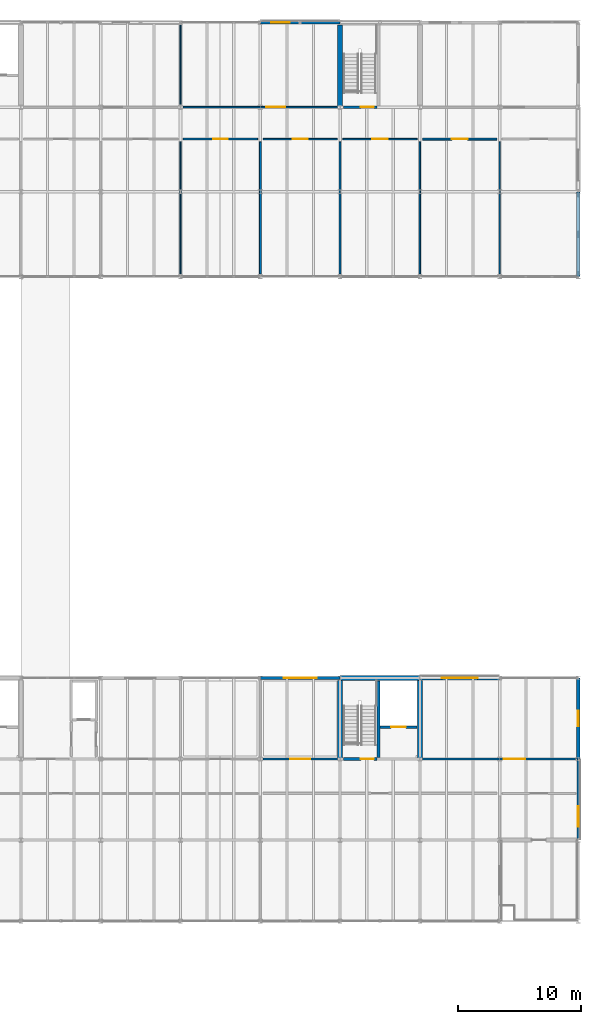
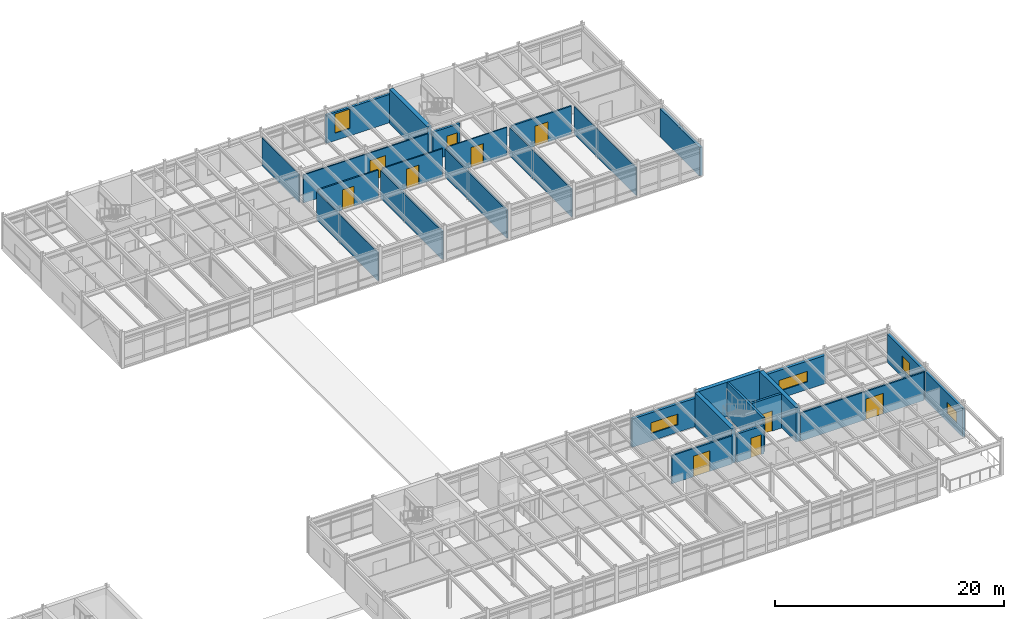
# One storey, part 42 of 49: 27 walls, 10 doors, 5 windows, 15 openings.
"""IFC4 building model written with IfcOpenShell, lengths in metres."""

from ifc_helpers import new_model, si_unit, direction, frame, frame_2d, origin, place, context, subcontext, project, spatial, rectangle, extrude, material, layer, layer_set, type_object, element, fill, save


model = new_model("IFC4")

# Units and contexts
model_context = context("Model", 3, precision=1e-05, world=origin(), true_north=direction((0.0, 1.0)))
body_context = subcontext(model_context, "Body", "Model", "MODEL_VIEW")
ifc_project = project(units=[si_unit("LENGTHUNIT", "METRE"), si_unit("AREAUNIT", "SQUARE_METRE"), si_unit("VOLUMEUNIT", "CUBIC_METRE"), si_unit("PLANEANGLEUNIT", "RADIAN"), si_unit("MASSUNIT", "GRAM", prefix="KILO")], contexts=[model_context])

# Site, building, storey
site_placement = place(None, origin())
site = spatial("IfcSite", under=ifc_project, at=site_placement, CompositionType="ELEMENT")
building_placement = place(site_placement, origin())
building = spatial("IfcBuilding", under=site, at=building_placement, Name="Trelmorton Wharf Fire Station", CompositionType="ELEMENT")
storey_placement = place(building_placement, frame((0.0, 0.0, 9.60009765625)))
storey = spatial("IfcBuildingStorey", under=building, at=storey_placement, Name="L02", CompositionType="ELEMENT", Elevation=9.60009765625)

# Wall, opening, window
ifc_material_1 = material(Name="Precast concrete 45 MPa", Category="concrete")
ifc_layer_1 = layer(ifc_material_1, 0.22998046875)
ifc_layer_set_1 = layer_set([ifc_layer_1], Name="Precast concrete 45 MPa")
wall_type_1 = type_object("IfcWallType", Name="EW_PREC_230", PredefinedType="SOLIDWALL", material=ifc_layer_set_1)
wall_1_placement = place(storey_placement, frame((162.39990234375, 20.9951171875, 0.0), z_axis=(0.0, 0.0, 1.0), x_axis=(0.0, -1.0, 0.0)))
wall_1 = element("IfcWall", 1, at=wall_1_placement, inside=storey, type_object=wall_type_1, Name="EW-V5-L02-0096", PredefinedType="SOLIDWALL", context=body_context, shape_type="SweptSolid", body=[
    extrude(rectangle(XDim=6.590087890625, YDim=0.22998046875, at=frame_2d((3.294921875, 0.0))), origin(), (0.0, 0.0, 1.0), 3.02001953125),
])
opening_1_placement = place(wall_1_placement, frame((3.827392578125, 0.0, 0.800048828125)))
opening_1 = element("IfcOpeningElement", 2, at=opening_1_placement, cuts=wall_1, Name="Opening W32", PredefinedType="OPENING", context=body_context, shape_type="SweptSolid", body=[
    extrude(rectangle(XDim=1.699951171875, YDim=1.25, at=frame_2d((0.85009765625, 0.625))), frame((0.0, 0.125, 0.0), z_axis=(0.0, -1.0, 0.0), x_axis=(1.0, 0.0, 0.0)), (0.0, 0.0, 1.0), 0.25),
])
ifc_material_2 = material(Name="Tempered low-E double glazing", Category="glass")
window_type_1 = type_object("IfcWindowType", Name="WIN_W32", PartitioningType="DOUBLE_PANEL_VERTICAL", PredefinedType="WINDOW", material=ifc_material_2)
window_1_placement = place(opening_1_placement, origin())
window_1 = element("IfcWindow", 3, at=window_1_placement, inside=storey, type_object=window_type_1, Name="WN-V5-L02-0046", OverallHeight=1.25, OverallWidth=1.699951171875, PartitioningType="DOUBLE_PANEL_VERTICAL", PredefinedType="WINDOW", context=body_context, shape_type="SweptSolid", body=[
    extrude(rectangle(XDim=1.699951171875, YDim=1.25, at=frame_2d((0.85009765625, 0.625))), frame((0.0, 0.030029296875, 0.0), z_axis=(0.0, -1.0, 0.0), x_axis=(1.0, 0.0, 0.0)), (0.0, 0.0, 1.0), 0.06005859375),
])
fill(opening_1, window_1)

wall_2_placement = place(storey_placement, frame((136.5048828125, 81.0, 0.0), z_axis=(0.0, 0.0, 1.0), x_axis=(1.0, 0.0, 0.0)))
wall_2 = element("IfcWall", 4, at=wall_2_placement, inside=storey, type_object=wall_type_1, Name="EW-V4-L02-0228", PredefinedType="SOLIDWALL", context=body_context, shape_type="SweptSolid", body=[
    extrude(rectangle(XDim=6.490234375, YDim=0.22998046875, at=frame_2d((3.2451171875, 0.0))), origin(), (0.0, 0.0, 1.0), 3.02001953125),
])
opening_2_placement = place(wall_2_placement, frame((0.887451171875, 0.0, 0.800048828125)))
opening_2 = element("IfcOpeningElement", 5, at=opening_2_placement, cuts=wall_2, Name="Opening W23", PredefinedType="OPENING", context=body_context, shape_type="SweptSolid", body=[
    extrude(rectangle(XDim=1.5, YDim=2.050048828125, at=frame_2d((0.75, 1.02490234375))), frame((0.0, 0.125, 0.0), z_axis=(0.0, -1.0, 0.0), x_axis=(1.0, 0.0, 0.0)), (0.0, 0.0, 1.0), 0.25),
])
window_type_2 = type_object("IfcWindowType", Name="WIN_W23", PartitioningType="SINGLE_PANEL", PredefinedType="WINDOW", material=ifc_material_2)
window_2_placement = place(opening_2_placement, origin())
window_2 = element("IfcWindow", 6, at=window_2_placement, inside=storey, type_object=window_type_2, Name="WN-V4-L02-0130", OverallHeight=2.050048828125, OverallWidth=1.5, PartitioningType="SINGLE_PANEL", PredefinedType="WINDOW", context=body_context, shape_type="SweptSolid", body=[
    extrude(rectangle(XDim=1.5, YDim=2.050048828125, at=frame_2d((0.75, 1.02490234375))), frame((0.0, 0.030029296875, 0.0), z_axis=(0.0, -1.0, 0.0), x_axis=(1.0, 0.0, 0.0)), (0.0, 0.0, 1.0), 0.06005859375),
])
fill(opening_2, window_2)

ifc_layer_2 = layer(ifc_material_1, 0.27001953125)
ifc_layer_set_2 = layer_set([ifc_layer_2], Name="Precast concrete 45 MPa")
wall_type_2 = type_object("IfcWallType", Name="EW_PREC_270", PredefinedType="SOLIDWALL", material=ifc_layer_set_2)
wall_3_placement = place(storey_placement, frame((136.5048828125, 27.60009765625, 0.0), z_axis=(0.0, 0.0, 1.0), x_axis=(1.0, 0.0, 0.0)))
wall_3 = element("IfcWall", 7, at=wall_3_placement, inside=storey, type_object=wall_type_2, Name="EW-V5-L02-0092", PredefinedType="SOLIDWALL", context=body_context, shape_type="SweptSolid", body=[
    extrude(rectangle(XDim=6.490234375, YDim=0.27001953125, at=frame_2d((3.2451171875, 0.0))), origin(), (0.0, 0.0, 1.0), 3.02001953125),
])
opening_3_placement = place(wall_3_placement, frame((1.89501953125, 0.0, 0.800048828125)))
opening_3 = element("IfcOpeningElement", 8, at=opening_3_placement, cuts=wall_3, Name="Opening W27", PredefinedType="OPENING", context=body_context, shape_type="SweptSolid", body=[
    extrude(rectangle(XDim=2.699951171875, YDim=1.14990234375, at=frame_2d((1.35009765625, 0.574951171875))), frame((0.0, 0.14501953125, 0.0), z_axis=(0.0, -1.0, 0.0), x_axis=(1.0, 0.0, 0.0)), (0.0, 0.0, 1.0), 0.2900390625),
])
window_type_3 = type_object("IfcWindowType", Name="WIN_W27", PartitioningType="TRIPLE_PANEL_VERTICAL", PredefinedType="WINDOW", material=ifc_material_2)
window_3_placement = place(opening_3_placement, origin())
window_3 = element("IfcWindow", 9, at=window_3_placement, inside=storey, type_object=window_type_3, Name="WN-V5-L02-0042", OverallHeight=1.14990234375, OverallWidth=2.699951171875, PartitioningType="TRIPLE_PANEL_VERTICAL", PredefinedType="WINDOW", context=body_context, shape_type="SweptSolid", body=[
    extrude(rectangle(XDim=2.699951171875, YDim=1.14990234375, at=frame_2d((1.35009765625, 0.574951171875))), frame((0.0, 0.030029296875, 0.0), z_axis=(0.0, -1.0, 0.0), x_axis=(1.0, 0.0, 0.0)), (0.0, 0.0, 1.0), 0.06005859375),
])
fill(opening_3, window_3)

wall_4_placement = place(storey_placement, frame((162.39990234375, 27.594970703125, 0.0), z_axis=(0.0, 0.0, 1.0), x_axis=(0.0, -1.0, 0.0)))
wall_4 = element("IfcWall", 10, at=wall_4_placement, inside=storey, type_object=wall_type_2, Name="EW-V5-L02-0098", PredefinedType="SOLIDWALL", context=body_context, shape_type="SweptSolid", body=[
    extrude(rectangle(XDim=6.590087890625, YDim=0.27001953125, at=frame_2d((3.294921875, 0.0))), origin(), (0.0, 0.0, 1.0), 3.02001953125),
])
opening_4_placement = place(wall_4_placement, frame((2.669921875, 0.0, 0.800048828125)))
opening_4 = element("IfcOpeningElement", 11, at=opening_4_placement, cuts=wall_4, Name="Opening W34", PredefinedType="OPENING", context=body_context, shape_type="SweptSolid", body=[
    extrude(rectangle(XDim=1.25, YDim=1.5, at=frame_2d((0.625, 0.75))), frame((0.0, 0.14501953125, 0.0), z_axis=(0.0, -1.0, 0.0), x_axis=(1.0, 0.0, 0.0)), (0.0, 0.0, 1.0), 0.2900390625),
])
window_type_4 = type_object("IfcWindowType", Name="WIN_W34", PartitioningType="SINGLE_PANEL", PredefinedType="WINDOW", material=ifc_material_2)
window_4_placement = place(opening_4_placement, origin())
window_4 = element("IfcWindow", 12, at=window_4_placement, inside=storey, type_object=window_type_4, Name="WN-V5-L02-0048", OverallHeight=1.5, OverallWidth=1.25, PartitioningType="SINGLE_PANEL", PredefinedType="WINDOW", context=body_context, shape_type="SweptSolid", body=[
    extrude(rectangle(XDim=1.25, YDim=1.5, at=frame_2d((0.625, 0.75))), frame((0.0, 0.030029296875, 0.0), z_axis=(0.0, -1.0, 0.0), x_axis=(1.0, 0.0, 0.0)), (0.0, 0.0, 1.0), 0.06005859375),
])
fill(opening_4, window_4)

ifc_layer_3 = layer(ifc_material_1, 0.2900390625)
ifc_layer_set_3 = layer_set([ifc_layer_3], Name="Precast concrete 45 MPa")
wall_type_3 = type_object("IfcWallType", Name="EW_TERR_290", PredefinedType="SOLIDWALL", material=ifc_layer_set_3)
wall_5_placement = place(storey_placement, frame((149.5048828125, 27.60009765625, 0.0), z_axis=(0.0, 0.0, 1.0), x_axis=(1.0, 0.0, 0.0)))
wall_5 = element("IfcWall", 13, at=wall_5_placement, inside=storey, type_object=wall_type_3, Name="EW-V5-L02-0093", PredefinedType="SOLIDWALL", context=body_context, shape_type="SweptSolid", body=[
    extrude(rectangle(XDim=6.490234375, YDim=0.2900390625, at=frame_2d((3.2451171875, 0.0))), origin(), (0.0, 0.0, 1.0), 3.02001953125),
])
opening_5_placement = place(wall_5_placement, frame((1.794921875, 0.0, 0.800048828125)))
opening_5 = element("IfcOpeningElement", 14, at=opening_5_placement, cuts=wall_5, Name="Opening W28", PredefinedType="OPENING", context=body_context, shape_type="SweptSolid", body=[
    extrude(rectangle(XDim=2.89990234375, YDim=1.14990234375, at=frame_2d((1.449951171875, 0.574951171875))), frame((0.0, 0.155029296875, 0.0), z_axis=(0.0, -1.0, 0.0), x_axis=(1.0, 0.0, 0.0)), (0.0, 0.0, 1.0), 0.31005859375),
])
window_type_5 = type_object("IfcWindowType", Name="WIN_W28", PartitioningType="TRIPLE_PANEL_VERTICAL", PredefinedType="WINDOW", material=ifc_material_2)
window_5_placement = place(opening_5_placement, origin())
window_5 = element("IfcWindow", 15, at=window_5_placement, inside=storey, type_object=window_type_5, Name="WN-V5-L02-0043", OverallHeight=1.14990234375, OverallWidth=2.89990234375, PartitioningType="TRIPLE_PANEL_VERTICAL", PredefinedType="WINDOW", context=body_context, shape_type="SweptSolid", body=[
    extrude(rectangle(XDim=2.89990234375, YDim=1.14990234375, at=frame_2d((1.449951171875, 0.574951171875))), frame((0.0, 0.030029296875, 0.0), z_axis=(0.0, -1.0, 0.0), x_axis=(1.0, 0.0, 0.0)), (0.0, 0.0, 1.0), 0.06005859375),
])
fill(opening_5, window_5)

# Wall
wall_6_placement = place(storey_placement, frame((162.39990234375, 67.195068359375, 0.0), z_axis=(0.0, 0.0, 1.0), x_axis=(0.0, -1.0, 0.0)))
element("IfcWall", 16, at=wall_6_placement, inside=storey, type_object=wall_type_3, Name="EW-V4-L02-0231", PredefinedType="SOLIDWALL", context=body_context, shape_type="SweptSolid", body=[
    extrude(rectangle(XDim=6.89013671875, YDim=0.2900390625, at=frame_2d((3.445068359375, 0.0))), origin(), (0.0, 0.0, 1.0), 3.02001953125),
])

# Wall, opening, door
ifc_material_3 = material(Name="Gypsum plasterboard partition")
ifc_layer_4 = layer(ifc_material_3, 0.14990234375)
ifc_layer_set_4 = layer_set([ifc_layer_4], Name="Gypsum plasterboard partition")
wall_type_4 = type_object("IfcWallType", Name="IW_ACOU_150", PredefinedType="PARTITIONING", material=ifc_layer_set_4)
wall_7_placement = place(storey_placement, frame((149.719970703125, 21.0, 0.0), z_axis=(0.0, 0.0, 1.0), x_axis=(1.0, 0.0, 0.0)))
wall_7 = element("IfcWall", 17, at=wall_7_placement, inside=storey, type_object=wall_type_4, Name="IW-L02-0142", PredefinedType="PARTITIONING", context=body_context, shape_type="SweptSolid", body=[
    extrude(rectangle(XDim=12.4599609375, YDim=0.14990234375, at=frame_2d((6.22998046875, 0.0))), origin(), (0.0, 0.0, 1.0), 3.0),
])
opening_6_placement = place(wall_7_placement, frame((6.610107421875, 0.0, 0.0)))
opening_6 = element("IfcOpeningElement", 18, at=opening_6_placement, cuts=wall_7, Name="Opening D-099", PredefinedType="OPENING", context=body_context, shape_type="SweptSolid", body=[
    extrude(rectangle(XDim=1.739990234375, YDim=2.199951171875, at=frame_2d((0.8701171875, 1.10009765625))), frame((0.0, 0.0849609375, 0.0), z_axis=(0.0, -1.0, 0.0), x_axis=(1.0, 0.0, 0.0)), (0.0, 0.0, 1.0), 0.169921875),
])
ifc_material_4 = material(Name="Acoustic timber panelling", Category="wood")
door_type_1 = type_object("IfcDoorType", Name="DR_INT_174", OperationType="DOUBLE_DOOR_SINGLE_SWING", PredefinedType="DOOR", material=ifc_material_4)
door_1_placement = place(opening_6_placement, origin())
door_1 = element("IfcDoor", 19, at=door_1_placement, inside=storey, type_object=door_type_1, Name="Interior Door D-099", OperationType="DOUBLE_DOOR_SINGLE_SWING", OverallHeight=2.199951171875, OverallWidth=1.739990234375, PredefinedType="DOOR", context=body_context, shape_type="SweptSolid", body=[
    extrude(rectangle(XDim=1.739990234375, YDim=2.199951171875, at=frame_2d((0.8701171875, 1.10009765625))), frame((0.0, 0.02490234375, 0.0), z_axis=(0.0, -1.0, 0.0), x_axis=(1.0, 0.0, 0.0)), (0.0, 0.0, 1.0), 0.050048828125),
])
fill(opening_6, door_1)

wall_8_placement = place(storey_placement, frame((130.219970703125, 71.5, 0.0), z_axis=(0.0, 0.0, 1.0), x_axis=(1.0, 0.0, 0.0)))
wall_8 = element("IfcWall", 20, at=wall_8_placement, inside=storey, type_object=wall_type_4, Name="IW-L02-0163", PredefinedType="PARTITIONING", context=body_context, shape_type="SweptSolid", body=[
    extrude(rectangle(XDim=6.06005859375, YDim=0.14990234375, at=frame_2d((3.030029296875, 0.0))), origin(), (0.0, 0.0, 1.0), 3.0),
])
opening_7_placement = place(wall_8_placement, frame((2.43505859375, 0.0, 0.0)))
opening_7 = element("IfcOpeningElement", 21, at=opening_7_placement, cuts=wall_8, Name="Opening D-110", PredefinedType="OPENING", context=body_context, shape_type="SweptSolid", body=[
    extrude(rectangle(XDim=1.18994140625, YDim=2.139892578125, at=frame_2d((0.594970703125, 1.06982421875))), frame((0.0, 0.0849609375, 0.0), z_axis=(0.0, -1.0, 0.0), x_axis=(1.0, 0.0, 0.0)), (0.0, 0.0, 1.0), 0.169921875),
])
door_type_2 = type_object("IfcDoorType", Name="DR_INT_119", OperationType="NOTDEFINED", PredefinedType="DOOR", material=ifc_material_4)
door_2_placement = place(opening_7_placement, origin())
door_2 = element("IfcDoor", 22, at=door_2_placement, inside=storey, type_object=door_type_2, Name="Interior Door D-110", OperationType="SINGLE_SWING_RIGHT", OverallHeight=2.139892578125, OverallWidth=1.18994140625, PredefinedType="DOOR", context=body_context, shape_type="SweptSolid", body=[
    extrude(rectangle(XDim=1.18994140625, YDim=2.139892578125, at=frame_2d((0.594970703125, 1.06982421875))), frame((0.0, 0.02490234375, 0.0), z_axis=(0.0, -1.0, 0.0), x_axis=(1.0, 0.0, 0.0)), (0.0, 0.0, 1.0), 0.050048828125),
])
fill(opening_7, door_2)

ifc_layer_5 = layer(ifc_material_3, 0.159912109375)
ifc_layer_set_5 = layer_set([ifc_layer_5], Name="Gypsum plasterboard partition")
wall_type_5 = type_object("IfcWallType", Name="IW_ACOU_160", PredefinedType="PARTITIONING", material=ifc_layer_set_5)
wall_9_placement = place(storey_placement, frame((136.719970703125, 21.0, 0.0), z_axis=(0.0, 0.0, 1.0), x_axis=(1.0, 0.0, 0.0)))
wall_9 = element("IfcWall", 23, at=wall_9_placement, inside=storey, type_object=wall_type_5, Name="IW-L02-0141", PredefinedType="PARTITIONING", context=body_context, shape_type="SweptSolid", body=[
    extrude(rectangle(XDim=6.06005859375, YDim=0.159912109375, at=frame_2d((3.030029296875, 0.0))), origin(), (0.0, 0.0, 1.0), 3.0),
])
opening_8_placement = place(wall_9_placement, frame((2.2099609375, 0.0, 0.0)))
opening_8 = element("IfcOpeningElement", 24, at=opening_8_placement, cuts=wall_9, Name="Opening D-098", PredefinedType="OPENING", context=body_context, shape_type="SweptSolid", body=[
    extrude(rectangle(XDim=1.639892578125, YDim=2.199951171875, at=frame_2d((0.81982421875, 1.10009765625))), frame((0.0, 0.08984375, 0.0), z_axis=(0.0, -1.0, 0.0), x_axis=(1.0, 0.0, 0.0)), (0.0, 0.0, 1.0), 0.179931640625),
])
door_type_3 = type_object("IfcDoorType", Name="DR_INT_164", OperationType="DOUBLE_DOOR_SINGLE_SWING", PredefinedType="DOOR", material=ifc_material_4)
door_3_placement = place(opening_8_placement, origin())
door_3 = element("IfcDoor", 25, at=door_3_placement, inside=storey, type_object=door_type_3, Name="Interior Door D-098", OperationType="DOUBLE_DOOR_SINGLE_SWING", OverallHeight=2.199951171875, OverallWidth=1.639892578125, PredefinedType="DOOR", context=body_context, shape_type="SweptSolid", body=[
    extrude(rectangle(XDim=1.639892578125, YDim=2.199951171875, at=frame_2d((0.81982421875, 1.10009765625))), frame((0.0, 0.02490234375, 0.0), z_axis=(0.0, -1.0, 0.0), x_axis=(1.0, 0.0, 0.0)), (0.0, 0.0, 1.0), 0.050048828125),
])
fill(opening_8, door_3)

# Wall
wall_10_placement = place(storey_placement, frame((136.5, 60.52001953125, 0.0), z_axis=(0.0, 0.0, 1.0), x_axis=(0.0, 1.0, 0.0)))
element("IfcWall", 26, at=wall_10_placement, inside=storey, type_object=wall_type_5, Name="IW-L02-0162", PredefinedType="PARTITIONING", context=body_context, shape_type="SweptSolid", body=[
    extrude(rectangle(XDim=10.760009765625, YDim=0.159912109375, at=frame_2d((5.3798828125, 0.0))), origin(), (0.0, 0.0, 1.0), 3.0),
])

# Wall, opening, door
wall_11_placement = place(storey_placement, frame((149.719970703125, 71.5, 0.0), z_axis=(0.0, 0.0, 1.0), x_axis=(1.0, 0.0, 0.0)))
wall_11 = element("IfcWall", 27, at=wall_11_placement, inside=storey, type_object=wall_type_5, Name="IW-L02-0169", PredefinedType="PARTITIONING", context=body_context, shape_type="SweptSolid", body=[
    extrude(rectangle(XDim=6.06005859375, YDim=0.159912109375, at=frame_2d((3.030029296875, 0.0))), origin(), (0.0, 0.0, 1.0), 3.0),
])
opening_9_placement = place(wall_11_placement, frame((2.375, 0.0, 0.0)))
opening_9 = element("IfcOpeningElement", 28, at=opening_9_placement, cuts=wall_11, Name="Opening D-113", PredefinedType="OPENING", context=body_context, shape_type="SweptSolid", body=[
    extrude(rectangle(XDim=1.31005859375, YDim=2.139892578125, at=frame_2d((0.655029296875, 1.06982421875))), frame((0.0, 0.08984375, 0.0), z_axis=(0.0, -1.0, 0.0), x_axis=(1.0, 0.0, 0.0)), (0.0, 0.0, 1.0), 0.179931640625),
])
door_type_4 = type_object("IfcDoorType", Name="DR_INT_131", OperationType="NOTDEFINED", PredefinedType="DOOR", material=ifc_material_4)
door_4_placement = place(opening_9_placement, origin())
door_4 = element("IfcDoor", 29, at=door_4_placement, inside=storey, type_object=door_type_4, Name="Interior Door D-113", OperationType="SINGLE_SWING_LEFT", OverallHeight=2.139892578125, OverallWidth=1.31005859375, PredefinedType="DOOR", context=body_context, shape_type="SweptSolid", body=[
    extrude(rectangle(XDim=1.31005859375, YDim=2.139892578125, at=frame_2d((0.655029296875, 1.06982421875))), frame((0.0, 0.02490234375, 0.0), z_axis=(0.0, -1.0, 0.0), x_axis=(1.0, 0.0, 0.0)), (0.0, 0.0, 1.0), 0.050048828125),
])
fill(opening_9, door_4)

# Wall
ifc_material_5 = material(Name="Concrete 40 MPa", Category="concrete")
ifc_layer_6 = layer(ifc_material_5, 0.219970703125)
ifc_layer_set_6 = layer_set([ifc_layer_6], Name="Concrete 40 MPa")
wall_type_6 = type_object("IfcWallType", Name="IW_CORE_220", PredefinedType="SOLIDWALL", material=ifc_layer_set_6)
wall_12_placement = place(storey_placement, frame((146.1201171875, 21.1201171875, 0.0), z_axis=(0.0, 0.0, 1.0), x_axis=(0.0, 1.0, 0.0)))
element("IfcWall", 30, at=wall_12_placement, inside=storey, type_object=wall_type_6, Name="IW-C4-DIV-L02", PredefinedType="SOLIDWALL", context=body_context, shape_type="SweptSolid", body=[
    extrude(rectangle(XDim=6.2548828125, YDim=0.219970703125, at=frame_2d((3.12744140625, 0.0))), origin(), (0.0, 0.0, 1.0), 3.659912109375),
])

# Wall, opening, door
wall_13_placement = place(storey_placement, frame((143.260009765625, 21.0, 0.0), z_axis=(0.0, 0.0, 1.0), x_axis=(1.0, 0.0, 0.0)))
wall_13 = element("IfcWall", 31, at=wall_13_placement, inside=storey, type_object=wall_type_6, Name="IW-C4-SF-L02", PredefinedType="SOLIDWALL", context=body_context, shape_type="SweptSolid", body=[
    extrude(rectangle(XDim=2.739990234375, YDim=0.219970703125, at=frame_2d((1.3701171875, 0.0))), origin(), (0.0, 0.0, 1.0), 3.02001953125),
])
opening_10_placement = place(wall_13_placement, frame((1.43994140625, 0.0, 0.0)))
opening_10 = element("IfcOpeningElement", 32, at=opening_10_placement, cuts=wall_13, Name="Opening FD-019", PredefinedType="OPENING", context=body_context, shape_type="SweptSolid", body=[
    extrude(rectangle(XDim=1.06005859375, YDim=2.10009765625, at=frame_2d((0.530029296875, 1.050048828125))), frame((0.0, 0.1201171875, 0.0), z_axis=(0.0, -1.0, 0.0), x_axis=(1.0, 0.0, 0.0)), (0.0, 0.0, 1.0), 0.239990234375),
])
ifc_material_6 = material(Name="Stainless steel 316 marine grade", Category="steel")
door_type_5 = type_object("IfcDoorType", Name="DR_FIRE_106", OperationType="NOTDEFINED", PredefinedType="DOOR", material=ifc_material_6)
door_5_placement = place(opening_10_placement, origin())
door_5 = element("IfcDoor", 33, at=door_5_placement, inside=storey, type_object=door_type_5, Name="Stair Fire Door FD-019", OperationType="SINGLE_SWING_LEFT", OverallHeight=2.10009765625, OverallWidth=1.06005859375, PredefinedType="DOOR", context=body_context, shape_type="SweptSolid", body=[
    extrude(rectangle(XDim=1.06005859375, YDim=2.10009765625, at=frame_2d((0.530029296875, 1.050048828125))), frame((0.0, 0.02490234375, 0.0), z_axis=(0.0, -1.0, 0.0), x_axis=(1.0, 0.0, 0.0)), (0.0, 0.0, 1.0), 0.050048828125),
])
fill(opening_10, door_5)

wall_14_placement = place(storey_placement, frame((146.239990234375, 23.60009765625, 0.0), z_axis=(0.0, 0.0, 1.0), x_axis=(1.0, 0.0, 0.0)))
wall_14 = element("IfcWall", 34, at=wall_14_placement, inside=storey, type_object=wall_type_6, Name="IW-C4-LSH-L02", PredefinedType="SOLIDWALL", context=body_context, shape_type="SweptSolid", body=[
    extrude(rectangle(XDim=3.034912109375, YDim=0.219970703125, at=frame_2d((1.517578125, 0.0))), origin(), (0.0, 0.0, 1.0), 3.659912109375),
])
opening_11_placement = place(wall_14_placement, frame((0.91748046875, 0.0, 0.0)))
opening_11 = element("IfcOpeningElement", 35, at=opening_11_placement, cuts=wall_14, Name="Opening LD-019", PredefinedType="OPENING", context=body_context, shape_type="SweptSolid", body=[
    extrude(rectangle(XDim=1.199951171875, YDim=2.14990234375, at=frame_2d((0.60009765625, 1.074951171875))), frame((0.0, 0.1201171875, 0.0), z_axis=(0.0, -1.0, 0.0), x_axis=(1.0, 0.0, 0.0)), (0.0, 0.0, 1.0), 0.239990234375),
])
door_type_6 = type_object("IfcDoorType", Name="DR_LIFT_120", OperationType="DOUBLE_DOOR_SLIDING", PredefinedType="DOOR", material=ifc_material_6)
door_6_placement = place(opening_11_placement, origin())
door_6 = element("IfcDoor", 36, at=door_6_placement, inside=storey, type_object=door_type_6, Name="Lift Landing Door LD-019", OperationType="DOUBLE_DOOR_SLIDING", OverallHeight=2.14990234375, OverallWidth=1.199951171875, PredefinedType="DOOR", context=body_context, shape_type="SweptSolid", body=[
    extrude(rectangle(XDim=1.199951171875, YDim=2.14990234375, at=frame_2d((0.60009765625, 1.074951171875))), frame((0.0, 0.02490234375, 0.0), z_axis=(0.0, -1.0, 0.0), x_axis=(1.0, 0.0, 0.0)), (0.0, 0.0, 1.0), 0.050048828125),
])
fill(opening_11, door_6)

wall_15_placement = place(storey_placement, frame((143.260009765625, 74.10009765625, 0.0), z_axis=(0.0, 0.0, 1.0), x_axis=(1.0, 0.0, 0.0)))
wall_15 = element("IfcWall", 37, at=wall_15_placement, inside=storey, type_object=wall_type_6, Name="IW-C8-SF-L02", PredefinedType="SOLIDWALL", context=body_context, shape_type="SweptSolid", body=[
    extrude(rectangle(XDim=2.739990234375, YDim=0.219970703125, at=frame_2d((1.3701171875, 0.0))), origin(), (0.0, 0.0, 1.0), 3.02001953125),
])
opening_12_placement = place(wall_15_placement, frame((1.43994140625, 0.0, 0.0)))
opening_12 = element("IfcOpeningElement", 38, at=opening_12_placement, cuts=wall_15, Name="Opening FD-049", PredefinedType="OPENING", context=body_context, shape_type="SweptSolid", body=[
    extrude(rectangle(XDim=1.06005859375, YDim=2.10009765625, at=frame_2d((0.530029296875, 1.050048828125))), frame((0.0, 0.1201171875, 0.0), z_axis=(0.0, -1.0, 0.0), x_axis=(1.0, 0.0, 0.0)), (0.0, 0.0, 1.0), 0.239990234375),
])
door_7_placement = place(opening_12_placement, origin())
door_7 = element("IfcDoor", 39, at=door_7_placement, inside=storey, type_object=door_type_5, Name="Stair Fire Door FD-049", OperationType="SINGLE_SWING_LEFT", OverallHeight=2.10009765625, OverallWidth=1.06005859375, PredefinedType="DOOR", context=body_context, shape_type="SweptSolid", body=[
    extrude(rectangle(XDim=1.06005859375, YDim=2.10009765625, at=frame_2d((0.530029296875, 1.050048828125))), frame((0.0, 0.02490234375, 0.0), z_axis=(0.0, -1.0, 0.0), x_axis=(1.0, 0.0, 0.0)), (0.0, 0.0, 1.0), 0.050048828125),
])
fill(opening_12, door_7)

# Walls
ifc_layer_7 = layer(ifc_material_3, 0.10009765625)
ifc_layer_set_7 = layer_set([ifc_layer_7], Name="Gypsum plasterboard partition")
wall_type_7 = type_object("IfcWallType", Name="IW_PART_100", PredefinedType="PARTITIONING", material=ifc_layer_set_7)
wall_16_placement = place(storey_placement, frame((156.0, 60.52001953125, 0.0), z_axis=(0.0, 0.0, 1.0), x_axis=(0.0, 1.0, 0.0)))
element("IfcWall", 40, at=wall_16_placement, inside=storey, type_object=wall_type_7, Name="IW-L02-0168", PredefinedType="PARTITIONING", context=body_context, shape_type="SweptSolid", body=[
    extrude(rectangle(XDim=10.760009765625, YDim=0.10009765625, at=frame_2d((5.3798828125, 0.0))), origin(), (0.0, 0.0, 1.0), 3.0),
])
wall_17_placement = place(storey_placement, frame((130.0, 74.320068359375, 0.0), z_axis=(0.0, 0.0, 1.0), x_axis=(0.0, 1.0, 0.0)))
element("IfcWall", 41, at=wall_17_placement, inside=storey, type_object=wall_type_7, Name="IW-L02-0175", PredefinedType="PARTITIONING", context=body_context, shape_type="SweptSolid", body=[
    extrude(rectangle(XDim=6.4599609375, YDim=0.10009765625, at=frame_2d((3.22998046875, 0.0))), origin(), (0.0, 0.0, 1.0), 3.0),
])
ifc_layer_8 = layer(ifc_material_3, 0.110107421875)
ifc_layer_set_8 = layer_set([ifc_layer_8], Name="Gypsum plasterboard partition")
wall_type_8 = type_object("IfcWallType", Name="IW_PART_110", PredefinedType="PARTITIONING", material=ifc_layer_set_8)
wall_18_placement = place(storey_placement, frame((130.0, 60.52001953125, 0.0), z_axis=(0.0, 0.0, 1.0), x_axis=(0.0, 1.0, 0.0)))
element("IfcWall", 42, at=wall_18_placement, inside=storey, type_object=wall_type_8, Name="IW-L02-0160", PredefinedType="PARTITIONING", context=body_context, shape_type="SweptSolid", body=[
    extrude(rectangle(XDim=10.760009765625, YDim=0.110107421875, at=frame_2d((5.3798828125, 0.0))), origin(), (0.0, 0.0, 1.0), 3.0),
])

# Wall, opening, door
wall_19_placement = place(storey_placement, frame((143.219970703125, 71.5, 0.0), z_axis=(0.0, 0.0, 1.0), x_axis=(1.0, 0.0, 0.0)))
wall_19 = element("IfcWall", 43, at=wall_19_placement, inside=storey, type_object=wall_type_8, Name="IW-L02-0167", PredefinedType="PARTITIONING", context=body_context, shape_type="SweptSolid", body=[
    extrude(rectangle(XDim=6.06005859375, YDim=0.110107421875, at=frame_2d((3.030029296875, 0.0))), origin(), (0.0, 0.0, 1.0), 3.0),
])
opening_13_placement = place(wall_19_placement, frame((2.39501953125, 0.0, 0.0)))
opening_13 = element("IfcOpeningElement", 44, at=opening_13_placement, cuts=wall_19, Name="Opening D-112", PredefinedType="OPENING", context=body_context, shape_type="SweptSolid", body=[
    extrude(rectangle(XDim=1.27001953125, YDim=2.10009765625, at=frame_2d((0.635009765625, 1.050048828125))), frame((0.0, 0.06494140625, 0.0), z_axis=(0.0, -1.0, 0.0), x_axis=(1.0, 0.0, 0.0)), (0.0, 0.0, 1.0), 0.130126953125),
])
door_type_7 = type_object("IfcDoorType", Name="DR_INT_127", OperationType="NOTDEFINED", PredefinedType="DOOR", material=ifc_material_4)
door_8_placement = place(opening_13_placement, origin())
door_8 = element("IfcDoor", 45, at=door_8_placement, inside=storey, type_object=door_type_7, Name="Interior Door D-112", OperationType="SINGLE_SWING_RIGHT", OverallHeight=2.10009765625, OverallWidth=1.27001953125, PredefinedType="DOOR", context=body_context, shape_type="SweptSolid", body=[
    extrude(rectangle(XDim=1.27001953125, YDim=2.10009765625, at=frame_2d((0.635009765625, 1.050048828125))), frame((0.0, 0.02490234375, 0.0), z_axis=(0.0, -1.0, 0.0), x_axis=(1.0, 0.0, 0.0)), (0.0, 0.0, 1.0), 0.050048828125),
])
fill(opening_13, door_8)

ifc_layer_9 = layer(ifc_material_3, 0.1298828125)
ifc_layer_set_9 = layer_set([ifc_layer_9], Name="Gypsum plasterboard partition")
wall_type_9 = type_object("IfcWallType", Name="IW_PART_130", PredefinedType="PARTITIONING", material=ifc_layer_set_9)
wall_20_placement = place(storey_placement, frame((136.719970703125, 71.5, 0.0), z_axis=(0.0, 0.0, 1.0), x_axis=(1.0, 0.0, 0.0)))
wall_20 = element("IfcWall", 46, at=wall_20_placement, inside=storey, type_object=wall_type_9, Name="IW-L02-0165", PredefinedType="PARTITIONING", context=body_context, shape_type="SweptSolid", body=[
    extrude(rectangle(XDim=6.06005859375, YDim=0.1298828125, at=frame_2d((3.030029296875, 0.0))), origin(), (0.0, 0.0, 1.0), 3.0),
])
opening_14_placement = place(wall_20_placement, frame((2.4150390625, 0.0, 0.0)))
opening_14 = element("IfcOpeningElement", 47, at=opening_14_placement, cuts=wall_20, Name="Opening D-111", PredefinedType="OPENING", context=body_context, shape_type="SweptSolid", body=[
    extrude(rectangle(XDim=1.22998046875, YDim=2.080078125, at=frame_2d((0.614990234375, 1.0400390625))), frame((0.0, 0.074951171875, 0.0), z_axis=(0.0, -1.0, 0.0), x_axis=(1.0, 0.0, 0.0)), (0.0, 0.0, 1.0), 0.14990234375),
])
door_type_8 = type_object("IfcDoorType", Name="DR_INT_123", OperationType="NOTDEFINED", PredefinedType="DOOR", material=ifc_material_4)
door_9_placement = place(opening_14_placement, origin())
door_9 = element("IfcDoor", 48, at=door_9_placement, inside=storey, type_object=door_type_8, Name="Interior Door D-111", OperationType="SINGLE_SWING_LEFT", OverallHeight=2.080078125, OverallWidth=1.22998046875, PredefinedType="DOOR", context=body_context, shape_type="SweptSolid", body=[
    extrude(rectangle(XDim=1.22998046875, YDim=2.080078125, at=frame_2d((0.614990234375, 1.0400390625))), frame((0.0, 0.02490234375, 0.0), z_axis=(0.0, -1.0, 0.0), x_axis=(1.0, 0.0, 0.0)), (0.0, 0.0, 1.0), 0.050048828125),
])
fill(opening_14, door_9)

# Walls
ifc_layer_10 = layer(ifc_material_3, 0.139892578125)
ifc_layer_set_10 = layer_set([ifc_layer_10], Name="Gypsum plasterboard partition")
wall_type_10 = type_object("IfcWallType", Name="IW_PART_140", PredefinedType="PARTITIONING", material=ifc_layer_set_10)
wall_21_placement = place(storey_placement, frame((143.0, 60.52001953125, 0.0), z_axis=(0.0, 0.0, 1.0), x_axis=(0.0, 1.0, 0.0)))
element("IfcWall", 49, at=wall_21_placement, inside=storey, type_object=wall_type_10, Name="IW-L02-0164", PredefinedType="PARTITIONING", context=body_context, shape_type="SweptSolid", body=[
    extrude(rectangle(XDim=10.760009765625, YDim=0.139892578125, at=frame_2d((5.3798828125, 0.0))), origin(), (0.0, 0.0, 1.0), 3.0),
])
ifc_layer_11 = layer(ifc_material_3, 0.1201171875)
ifc_layer_set_11 = layer_set([ifc_layer_11], Name="Gypsum plasterboard partition")
wall_type_11 = type_object("IfcWallType", Name="IW_WET_120", PredefinedType="PARTITIONING", material=ifc_layer_set_11)
wall_22_placement = place(storey_placement, frame((149.5, 60.52001953125, 0.0), z_axis=(0.0, 0.0, 1.0), x_axis=(0.0, 1.0, 0.0)))
element("IfcWall", 50, at=wall_22_placement, inside=storey, type_object=wall_type_11, Name="IW-L02-0166", PredefinedType="PARTITIONING", context=body_context, shape_type="SweptSolid", body=[
    extrude(rectangle(XDim=10.760009765625, YDim=0.1201171875, at=frame_2d((5.3798828125, 0.0))), origin(), (0.0, 0.0, 1.0), 3.0),
])

# Wall, opening, door
wall_23_placement = place(storey_placement, frame((130.219970703125, 74.10009765625, 0.0), z_axis=(0.0, 0.0, 1.0), x_axis=(1.0, 0.0, 0.0)))
wall_23 = element("IfcWall", 51, at=wall_23_placement, inside=storey, type_object=wall_type_11, Name="IW-L02-0173", PredefinedType="PARTITIONING", context=body_context, shape_type="SweptSolid", body=[
    extrude(rectangle(XDim=12.56005859375, YDim=0.1201171875, at=frame_2d((6.280029296875, 0.0))), origin(), (0.0, 0.0, 1.0), 3.0),
])
opening_15_placement = place(wall_23_placement, frame((6.75, 0.0, 0.0)))
opening_15 = element("IfcOpeningElement", 52, at=opening_15_placement, cuts=wall_23, Name="Opening D-117", PredefinedType="OPENING", context=body_context, shape_type="SweptSolid", body=[
    extrude(rectangle(XDim=1.56005859375, YDim=2.179931640625, at=frame_2d((0.780029296875, 1.08984375))), frame((0.0, 0.070068359375, 0.0), z_axis=(0.0, -1.0, 0.0), x_axis=(1.0, 0.0, 0.0)), (0.0, 0.0, 1.0), 0.14013671875),
])
door_type_9 = type_object("IfcDoorType", Name="DR_INT_156", OperationType="DOUBLE_DOOR_SINGLE_SWING", PredefinedType="DOOR", material=ifc_material_4)
door_10_placement = place(opening_15_placement, origin())
door_10 = element("IfcDoor", 53, at=door_10_placement, inside=storey, type_object=door_type_9, Name="Interior Door D-117", OperationType="DOUBLE_DOOR_SINGLE_SWING", OverallHeight=2.179931640625, OverallWidth=1.56005859375, PredefinedType="DOOR", context=body_context, shape_type="SweptSolid", body=[
    extrude(rectangle(XDim=1.56005859375, YDim=2.179931640625, at=frame_2d((0.780029296875, 1.08984375))), frame((0.0, 0.02490234375, 0.0), z_axis=(0.0, -1.0, 0.0), x_axis=(1.0, 0.0, 0.0)), (0.0, 0.0, 1.0), 0.050048828125),
])
fill(opening_15, door_10)

# Walls
ifc_material_7 = material(Name="Concrete 50 MPa", Category="concrete")
ifc_layer_12 = layer(ifc_material_7, 0.39990234375)
ifc_layer_set_12 = layer_set([ifc_layer_12], Name="Concrete 50 MPa")
wall_type_12 = type_object("IfcWallType", Name="WL_CORE_400", PredefinedType="SHEAR", material=ifc_layer_set_12)
wall_24_placement = place(storey_placement, frame((143.0, 27.60009765625, 0.0), z_axis=(0.0, 0.0, 1.0), x_axis=(1.0, 0.0, 0.0)))
element("IfcWall", 54, at=wall_24_placement, inside=storey, type_object=wall_type_12, Name="WL-SW-C4-L02-055", PredefinedType="SHEAR", context=body_context, shape_type="SweptSolid", body=[
    extrude(rectangle(XDim=6.5, YDim=0.39990234375, at=frame_2d((3.25, 0.0))), origin(), (0.0, 0.0, 1.0), 3.659912109375),
])
for number, where, z_axis, x_axis, name in (
    (55, (143.0, 21.0, 0.0), (0.0, 0.0, 1.0), (0.0, 1.0, 0.0), "WL-SW-C4-L02-056"),
    (56, (149.5, 21.0, 0.0), (0.0, 0.0, 1.0), (0.0, 1.0, 0.0), "WL-SW-C4-L02-057"),
):
    element("IfcWall", number, at=place(storey_placement, frame(where, z_axis=z_axis, x_axis=x_axis)), inside=storey, type_object=wall_type_12, Name=name, PredefinedType="SHEAR", context=body_context, shape_type="SweptSolid", body=[
        extrude(rectangle(XDim=6.39990234375, YDim=0.39990234375, at=frame_2d((3.199951171875, 0.0))), origin(), (0.0, 0.0, 1.0), 3.659912109375),
    ])
wall_25_placement = place(storey_placement, frame((143.0, 74.10009765625, 0.0), z_axis=(0.0, 0.0, 1.0), x_axis=(0.0, 1.0, 0.0)))
element("IfcWall", 57, at=wall_25_placement, inside=storey, type_object=wall_type_12, Name="WL-SW-C8-L02-146", PredefinedType="SHEAR", context=body_context, shape_type="SweptSolid", body=[
    extrude(rectangle(XDim=6.699951171875, YDim=0.39990234375, at=frame_2d((3.35009765625, 0.0))), origin(), (0.0, 0.0, 1.0), 3.659912109375),
])

save(model, "model.ifc")
